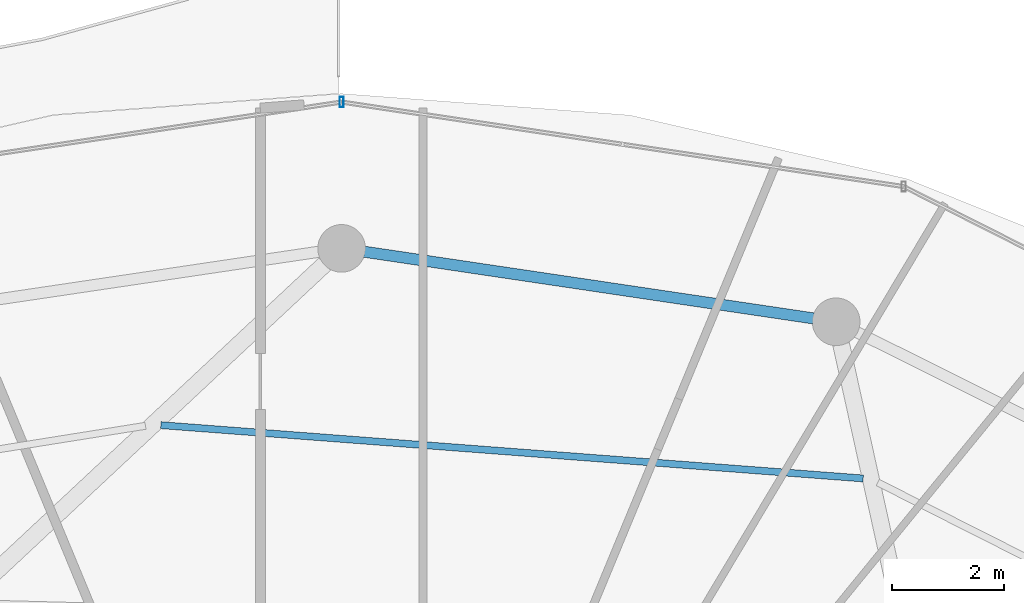
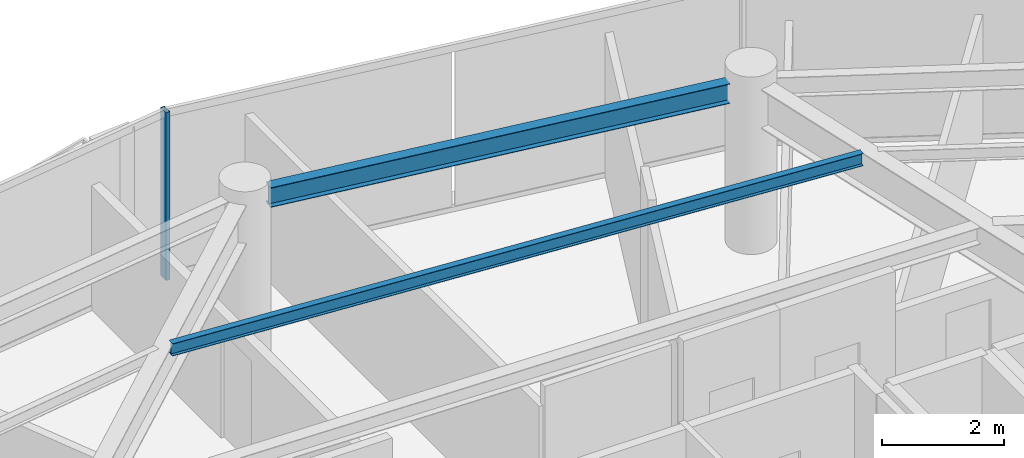
# One storey, part 17 of 30: 2 beams, 1 member, 1 element without a shape of its own.
"""IFC4 building model written with IfcOpenShell, lengths in metres."""

from ifc_helpers import new_model, si_unit, direction, frame, origin, origin_2d, place, context, subcontext, project, spatial, hollow_rectangle, i_section, extrude, material, material_profile, profile_set, type_object, element, aggregate, save


model = new_model("IFC4")

# Units and contexts
model_context = context("Model", 3, precision=1e-05, world=origin(), true_north=direction((0.0, 1.0)))
body_context = subcontext(model_context, "Body", "Model", "MODEL_VIEW")
ifc_project = project(units=[si_unit("LENGTHUNIT", "METRE"), si_unit("AREAUNIT", "SQUARE_METRE"), si_unit("VOLUMEUNIT", "CUBIC_METRE"), si_unit("PLANEANGLEUNIT", "RADIAN"), si_unit("MASSUNIT", "GRAM", prefix="KILO")], contexts=[model_context])

# Site, building, storey
site_placement = place(None, origin())
site = spatial("IfcSite", under=ifc_project, at=site_placement, CompositionType="ELEMENT")
building_placement = place(site_placement, origin())
building = spatial("IfcBuilding", under=site, at=building_placement, Name="Vorneva Point Tower", CompositionType="ELEMENT")
storey_placement = place(building_placement, frame((0.0, 0.0, 262.64990234375)))
storey = spatial("IfcBuildingStorey", under=building, at=storey_placement, Name="L71", CompositionType="ELEMENT", Elevation=262.64990234375)

# Beams
ifc_material_1 = material(Name="Steel S355", Category="steel")
ifc_material_profile_1 = material_profile(ifc_material_1, i_section(OverallWidth=0.1240234375, OverallDepth=0.248046875, WebThickness=0.0048828125, FlangeThickness=0.008056640625, at=origin_2d()), Name="25B1")
ifc_profile_set_1 = profile_set([ifc_material_profile_1], Name="Steel S355")
beam_type_1 = type_object("IfcBeamType", Name="BM-JST-25B1", PredefinedType="JOIST", material=ifc_profile_set_1)
beam_1_placement = place(storey_placement, frame((47.30224609375, 39.09619140625, 3.166015625), z_axis=(-0.997132387184, 0.075676961014, 0.0), x_axis=(-0.075676961014, -0.997132387184, 0.0)))
element("IfcBeam", 1, at=beam_1_placement, inside=storey, type_object=beam_type_1, Name="L71 Secondary Floor Beam 1.04", PredefinedType="JOIST", context=body_context, shape_type="SweptSolid", body=[
    extrude(i_section(OverallWidth=0.1240234375, OverallDepth=0.248046875, WebThickness=0.0048828125, FlangeThickness=0.008056640625, at=origin_2d()), origin(), (0.0, 0.0, 1.0), 12.5625),
])
ifc_material_profile_2 = material_profile(ifc_material_1, i_section(OverallWidth=0.198974609375, OverallDepth=0.39599609375, WebThickness=0.007080078125, FlangeThickness=0.010986328125, at=origin_2d()), Name="40B1")
ifc_profile_set_2 = profile_set([ifc_material_profile_2], Name="Steel S355")
beam_type_2 = type_object("IfcBeamType", Name="BM-SPN-40B1", PredefinedType="SPANDREL", material=ifc_profile_set_2)
beam_2_placement = place(storey_placement, frame((46.415283203125, 41.950927734375, 3.092041015625), z_axis=(-0.989161657331, 0.146830567886, 0.0), x_axis=(-0.146830567886, -0.989161657331, 0.0)))
element("IfcBeam", 2, at=beam_2_placement, inside=storey, type_object=beam_type_2, Name="L71 Perimeter Spandrel Ring Beam 04", PredefinedType="SPANDREL", context=body_context, shape_type="SweptSolid", body=[
    extrude(i_section(OverallWidth=0.198974609375, OverallDepth=0.39599609375, WebThickness=0.007080078125, FlangeThickness=0.010986328125, at=origin_2d()), origin(), (0.0, 0.0, 1.0), 8.097412109375),
])

# Curtain wall, member
ifc_material_2 = material(Name="Pale anodised aluminium", Category="aluminium")
curtain_wall_type = type_object("IfcCurtainWallType", Name="CW-RES-SYS", PredefinedType="NOTDEFINED", material=ifc_material_2)
curtain_wall_placement = place(storey_placement, origin())
curtain_wall = element("IfcCurtainWall", 3, at=curtain_wall_placement, inside=storey, type_object=curtain_wall_type, Name="L71 Unitised Curtain Wall CW-L71-R02", PredefinedType="NOTDEFINED")
ifc_material_profile_3 = material_profile(ifc_material_2, hollow_rectangle(XDim=0.074951171875, YDim=0.179931640625, WallThickness=0.00390625, at=origin_2d()), Name="AL-MUL 180x75x4")
ifc_profile_set_3 = profile_set([ifc_material_profile_3], Name="Pale anodised aluminium")
member_type = type_object("IfcMemberType", Name="CW-MUL-180", PredefinedType="MULLION", material=ifc_profile_set_3)
member_placement = place(storey_placement, frame((38.0, 45.81005859375, -0.039794921875), z_axis=(0.0, 0.0, 1.0), x_axis=(1.0, 0.0, 0.0)))
member = element("IfcMember", 4, at=member_placement, type_object=member_type, Name="CW-L71-R02 Mullion 03", PredefinedType="MULLION", context=body_context, shape_type="SweptSolid", body=[
    extrude(hollow_rectangle(XDim=0.074951171875, YDim=0.179931640625, WallThickness=0.00390625, at=origin_2d()), origin(), (0.0, 0.0, 1.0), 3.35986328125),
])
aggregate(curtain_wall, [member])

save(model, "model.ifc")
